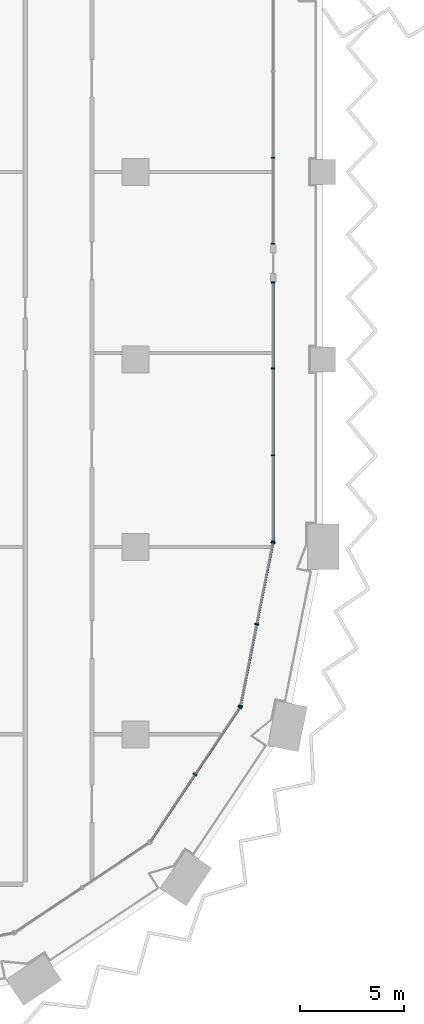
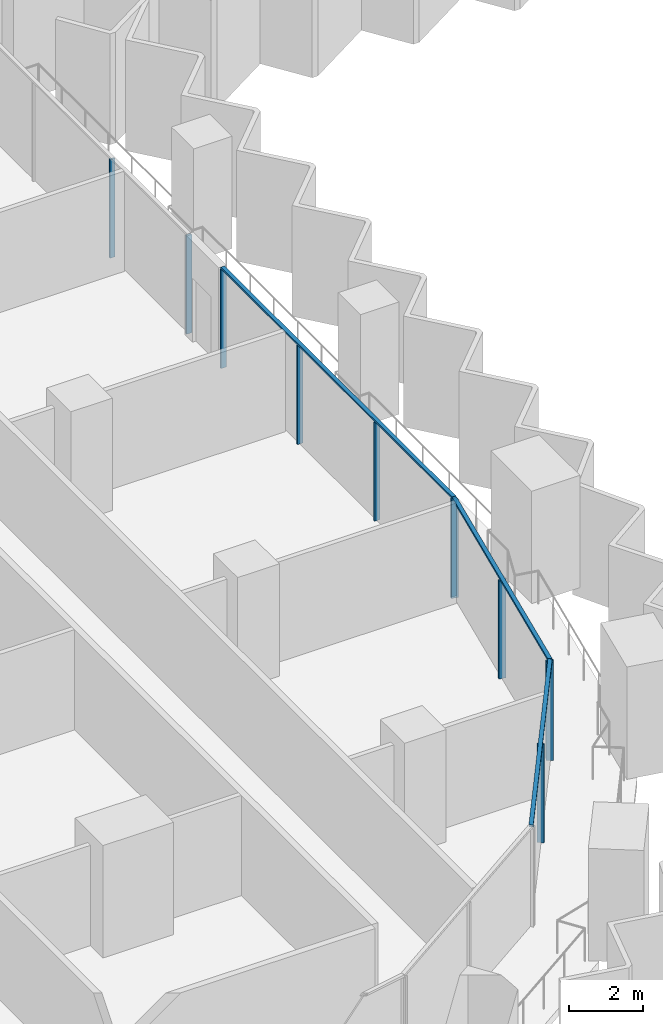
# One storey, part 3 of 22: 14 members, 4 elements without a shape of their own.
"""IFC4 building model written with IfcOpenShell, lengths in metres."""

import ifcopenshell
import ifcopenshell.guid

model = None  # the IFC model being written
_history = None  # IfcOwnerHistory: only IFC2X3 demands one
_inside = {}  # id of a spatial element -> (the spatial element, [elements in it])
_under = {}  # id of a project, library or spatial element -> (it, [spatial elements below it])
_declared = {}  # id of a project -> (the project, [libraries it declares])
_typed = {}  # id of a type object -> (the type object, [elements of that type])
_made_of = {}  # id of a material, layer set ... -> (it, [elements and type objects made of it])


def new_model(schema):
    """Start an empty IFC model of exactly this schema.

    Asked for "IFC4X3", IfcOpenShell would pick the latest addendum, in which some entities
    have other attributes; the version numbers below select the first issue.
    IFC2X3 requires an IfcOwnerHistory on every rooted entity: one is made here for all.
    """
    global model, _history
    if schema == "IFC4X3":
        model = ifcopenshell.file(schema_version=(4, 3, 0, 0))
    else:
        model = ifcopenshell.file(schema=schema)
    _inside.clear()
    _under.clear()
    _declared.clear()
    _typed.clear()
    _made_of.clear()
    _history = None
    if model.schema == "IFC2X3":
        org = make("IfcOrganization", Name="unknown")
        user = make(
            "IfcPersonAndOrganization",
            ThePerson=make("IfcPerson", FamilyName="unknown"),
            TheOrganization=org,
        )
        app = make(
            "IfcApplication",
            ApplicationDeveloper=org,
            Version="unknown",
            ApplicationFullName="unknown",
            ApplicationIdentifier="unknown",
        )
        _history = make(
            "IfcOwnerHistory",
            OwningUser=user,
            OwningApplication=app,
            ChangeAction="ADDED",
            CreationDate=0,
        )
    return model


def make(cls, **values):
    """One entity of the class cls with the attributes given. An attribute that is None is left unset."""
    return model.create_entity(
        cls, **{name: value for name, value in values.items() if value is not None}
    )


def rooted(cls, **values):
    """An entity with a GlobalId (a new one), such as an element, a storey or a relation."""
    return make(cls, GlobalId=ifcopenshell.guid.new(), OwnerHistory=_history, **values)


def si_unit(unit_type, name, prefix=None):
    """IfcSIUnit, for example si_unit("LENGTHUNIT", "METRE", prefix="MILLI")."""
    return make("IfcSIUnit", UnitType=unit_type, Prefix=prefix, Name=name)


def assignment(units):
    """IfcUnitAssignment: the units of a project."""
    return None if units is None else make("IfcUnitAssignment", Units=units)


def point(xyz):
    """IfcCartesianPoint."""
    return None if xyz is None else make("IfcCartesianPoint", Coordinates=xyz)


def direction(xyz):
    """IfcDirection."""
    return None if xyz is None else make("IfcDirection", DirectionRatios=xyz)


def frame(location, z_axis=None, x_axis=None):
    """IfcAxis2Placement3D, a coordinate frame: its origin and axes. An axis left out is left unset."""
    return make(
        "IfcAxis2Placement3D",
        Location=point(location),
        Axis=direction(z_axis),
        RefDirection=direction(x_axis),
    )


def frame_2d(location, x_axis=None):
    """IfcAxis2Placement2D, a coordinate frame in the plane: its origin and x axis."""
    return make(
        "IfcAxis2Placement2D", Location=point(location), RefDirection=direction(x_axis)
    )


def origin():
    """The frame at (0, 0, 0) with its axes left unset."""
    return frame((0.0, 0.0, 0.0))


def origin_2d():
    """The frame at (0, 0) in the plane with its x axis left unset."""
    return frame_2d((0.0, 0.0))


def place(relative_to, where):
    """IfcLocalPlacement: puts the frame where relative to a parent placement (None: the world)."""
    return make(
        "IfcLocalPlacement", PlacementRelTo=relative_to, RelativePlacement=where
    )


def context(
    kind, dimensions, precision=None, world=None, true_north=None, identifier=None
):
    """IfcGeometricRepresentationContext, for example the 3D "Model" context."""
    return make(
        "IfcGeometricRepresentationContext",
        ContextIdentifier=identifier,
        ContextType=kind,
        CoordinateSpaceDimension=dimensions,
        Precision=precision,
        WorldCoordinateSystem=world,
        TrueNorth=true_north,
    )


def subcontext(parent, identifier, kind, view, scale=None):
    """IfcGeometricRepresentationSubContext, for example "Body" below "Model"."""
    return make(
        "IfcGeometricRepresentationSubContext",
        ContextIdentifier=identifier,
        ContextType=kind,
        ParentContext=parent,
        TargetScale=scale,
        TargetView=view,
    )


def project(units=None, contexts=None):
    """IfcProject with its units and contexts."""
    return rooted(
        "IfcProject",
        Name="project",
        RepresentationContexts=contexts,
        UnitsInContext=assignment(units),
    )


def spatial(cls, under=None, at=None, **own):
    """A site, building, storey or space (cls), placed at a placement, below another one or the project."""
    s = rooted(cls, ObjectPlacement=at, **own)
    if under is not None:
        _under.setdefault(under.id(), (under, []))[1].append(s)
    return s


def profile(cls, at=None, kind="AREA", **sizes):
    """A parametric profile (cls). Its sizes go by their IFC names, for example OverallWidth=200.0."""
    return make(cls, ProfileType=kind, Position=at, **sizes)


def rectangle(**sizes):
    """IfcRectangleProfileDef."""
    return profile("IfcRectangleProfileDef", **sizes)


def extrude(swept, where, along, depth):
    """IfcExtrudedAreaSolid: the profile swept, set in the frame where, extruded along a direction by depth."""
    return make(
        "IfcExtrudedAreaSolid",
        SweptArea=swept,
        Position=where,
        ExtrudedDirection=direction(along),
        Depth=depth,
    )


def shape(context_of_items, identifier, shape_type, items):
    """IfcShapeRepresentation: the items that make up one representation, for example the "Body"."""
    return make(
        "IfcShapeRepresentation",
        ContextOfItems=context_of_items,
        RepresentationIdentifier=identifier,
        RepresentationType=shape_type,
        Items=items,
    )


def material(Name=None, Category=None):
    """IfcMaterial."""
    return make("IfcMaterial", Name=Name, Category=Category)


def material_profile(
    of_material, cross_section, Name=None, Category=None, Priority=None
):
    """IfcMaterialProfile: a cross section and its material."""
    return make(
        "IfcMaterialProfile",
        Name=Name,
        Material=of_material,
        Profile=cross_section,
        Priority=Priority,
        Category=Category,
    )


def profile_set(profiles, Name=None, composite=None):
    """IfcMaterialProfileSet."""
    return make(
        "IfcMaterialProfileSet",
        Name=Name,
        MaterialProfiles=profiles,
        CompositeProfile=composite,
    )


def made_of(thing, what):
    """Note that an element or type object is made of a material, layer set ...; save() writes the relation."""
    if what is not None:
        _made_of.setdefault(what.id(), (what, []))[1].append(thing)
    return thing


def type_object(cls, material=None, **own):
    """A type object (cls), such as IfcWallType, which elements share."""
    return made_of(rooted(cls, **own), material)


def element(
    cls,
    number,
    at=None,
    inside=None,
    cuts=None,
    type_object=None,
    material=None,
    context=None,
    identifier="Body",
    shape_type=None,
    held_by="IfcProductDefinitionShape",
    body=None,
    shapes=None,
    **own,
):
    """One element of the class cls, such as IfcWall. Its Tag is "e" and its number.

    at: its placement. inside: the storey or other place that contains it. cuts: it is an
    opening in that element (IfcRelVoidsElement). A single representation is given by context,
    identifier, shape_type and body (its items); several are given by shapes. held_by: the class
    of the entity that holds the representations. save() writes the other relations.
    """
    e = rooted(cls, Tag="e%d" % number, ObjectPlacement=at, **own)
    if body is not None:
        shapes = [shape(context, identifier, shape_type, body)]
    if shapes is not None:
        e.Representation = make(held_by, Representations=shapes)
    if inside is not None:
        _inside.setdefault(inside.id(), (inside, []))[1].append(e)
    if cuts is not None:
        rooted(
            "IfcRelVoidsElement", RelatingBuildingElement=cuts, RelatedOpeningElement=e
        )
    if type_object is not None:
        _typed.setdefault(type_object.id(), (type_object, []))[1].append(e)
    return made_of(e, material)


def aggregate(whole, parts):
    """IfcRelAggregates: a whole, such as a stair, and the parts it consists of."""
    return rooted("IfcRelAggregates", RelatingObject=whole, RelatedObjects=parts)


def save(model, path):
    """Write the relations noted so far, then the file.

    IfcRelAggregates (storeys below a building ...), IfcRelContainedInSpatialStructure (elements
    in a storey), IfcRelDefinesByType, IfcRelAssociatesMaterial and IfcRelDeclares: one each for
    every whole, place, type object, material and project.
    """
    for whole, parts in _under.values():
        aggregate(whole, parts)
    for where, things in _inside.values():
        rooted(
            "IfcRelContainedInSpatialStructure",
            RelatedElements=things,
            RelatingStructure=where,
        )
    for kind, things in _typed.values():
        rooted("IfcRelDefinesByType", RelatedObjects=things, RelatingType=kind)
    for what, things in _made_of.values():
        rooted("IfcRelAssociatesMaterial", RelatedObjects=things, RelatingMaterial=what)
    for by, libraries in _declared.values():
        rooted("IfcRelDeclares", RelatingContext=by, RelatedDefinitions=libraries)
    model.write(path)


model = new_model("IFC4")

# Units and contexts
model_context = context("Model", 3, precision=1e-05, world=origin(), true_north=direction((0.0, 1.0)))
body_context = subcontext(model_context, "Body", "Model", "MODEL_VIEW")
ifc_project = project(units=[si_unit("LENGTHUNIT", "METRE"), si_unit("AREAUNIT", "SQUARE_METRE"), si_unit("VOLUMEUNIT", "CUBIC_METRE"), si_unit("PLANEANGLEUNIT", "RADIAN"), si_unit("MASSUNIT", "GRAM", prefix="KILO")], contexts=[model_context])

# Site, building, storey
site_placement = place(None, origin())
site = spatial("IfcSite", under=ifc_project, at=site_placement, CompositionType="ELEMENT")
building_placement = place(site_placement, origin())
building = spatial("IfcBuilding", under=site, at=building_placement, Name="Hunhe Ridgeline Campus", CompositionType="ELEMENT")
storey_placement = place(building_placement, frame((0.0, 0.0, 84.800048828125)))
storey = spatial("IfcBuildingStorey", under=building, at=storey_placement, Name="L20", CompositionType="ELEMENT", Elevation=84.800048828125)

# Curtain wall, members
ifc_material = material(Name="Aluminium 6063", Category="aluminium")
curtain_wall_type_1 = type_object("IfcCurtainWallType", Name="Curtain wall CW-1", PredefinedType="NOTDEFINED", material=ifc_material)
curtain_wall_1_placement = place(storey_placement, origin())
curtain_wall_1 = element("IfcCurtainWall", 1, at=curtain_wall_1_placement, inside=storey, type_object=curtain_wall_type_1, Name="Curtain wall 11", PredefinedType="NOTDEFINED")
ifc_material_profile_1 = material_profile(ifc_material, rectangle(XDim=0.159912109375, YDim=0.06005859375, at=origin_2d()))
ifc_profile_set_1 = profile_set([ifc_material_profile_1], Name="Aluminium 6063")
member_type_1 = type_object("IfcMemberType", Name="CW-1 aluminium mullion", PredefinedType="MULLION", material=ifc_profile_set_1)
member_1_placement = place(storey_placement, frame((42.59912109375, 27.266357421875, 0.0), z_axis=(0.0, 0.0, 1.0), x_axis=(-0.99999999994, 1.0975712e-05, 0.0)))
member_1 = element("IfcMember", 2, at=member_1_placement, type_object=member_type_1, Name="CW-1 mullion 1", PredefinedType="MULLION", context=body_context, shape_type="SweptSolid", body=[
    extrude(rectangle(XDim=0.159912109375, YDim=0.06005859375, at=origin_2d()), origin(), (0.0, 0.0, 1.0), 3.239990234375),
])
member_2_placement = place(storey_placement, frame((42.59912109375, 31.397216796875, 0.0), z_axis=(0.0, 0.0, 1.0), x_axis=(-0.99999999994, 1.0975712e-05, 0.0)))
member_2 = element("IfcMember", 3, at=member_2_placement, type_object=member_type_1, Name="CW-1 mullion 2", PredefinedType="MULLION", context=body_context, shape_type="SweptSolid", body=[
    extrude(rectangle(XDim=0.159912109375, YDim=0.06005859375, at=origin_2d()), origin(), (0.0, 0.0, 1.0), 3.239990234375),
])
member_3_placement = place(storey_placement, frame((42.59912109375, 35.557861328125, 0.0), z_axis=(0.0, 0.0, 1.0), x_axis=(-0.99999999994, 1.0975712e-05, 0.0)))
member_3 = element("IfcMember", 4, at=member_3_placement, type_object=member_type_1, Name="CW-1 mullion 3", PredefinedType="MULLION", context=body_context, shape_type="SweptSolid", body=[
    extrude(rectangle(XDim=0.159912109375, YDim=0.06005859375, at=origin_2d()), origin(), (0.0, 0.0, 1.0), 3.239990234375),
])
member_4_placement = place(storey_placement, frame((42.59912109375, 39.6884765625, 0.0), z_axis=(0.0, 0.0, 1.0), x_axis=(-0.99999999994, 1.0975712e-05, 0.0)))
member_4 = element("IfcMember", 5, at=member_4_placement, type_object=member_type_1, Name="CW-1 mullion 4", PredefinedType="MULLION", context=body_context, shape_type="SweptSolid", body=[
    extrude(rectangle(XDim=0.159912109375, YDim=0.06005859375, at=origin_2d()), origin(), (0.0, 0.0, 1.0), 3.239990234375),
])

curtain_wall_2_placement = place(storey_placement, origin())
curtain_wall_2 = element("IfcCurtainWall", 6, at=curtain_wall_2_placement, inside=storey, type_object=curtain_wall_type_1, Name="Curtain wall 12", PredefinedType="NOTDEFINED")
member_5_placement = place(storey_placement, frame((42.59912109375, 41.548583984375, 0.0), z_axis=(0.0, 0.0, 1.0), x_axis=(-0.99999999994, 1.0975712e-05, 0.0)))
member_5 = element("IfcMember", 7, at=member_5_placement, type_object=member_type_1, Name="CW-1 mullion 1", PredefinedType="MULLION", context=body_context, shape_type="SweptSolid", body=[
    extrude(rectangle(XDim=0.159912109375, YDim=0.06005859375, at=origin_2d()), origin(), (0.0, 0.0, 1.0), 3.239990234375),
])
member_6_placement = place(storey_placement, frame((42.59912109375, 45.67919921875, 0.0), z_axis=(0.0, 0.0, 1.0), x_axis=(-0.99999999994, 1.0975712e-05, 0.0)))
member_6 = element("IfcMember", 8, at=member_6_placement, type_object=member_type_1, Name="CW-1 mullion 2", PredefinedType="MULLION", context=body_context, shape_type="SweptSolid", body=[
    extrude(rectangle(XDim=0.159912109375, YDim=0.06005859375, at=origin_2d()), origin(), (0.0, 0.0, 1.0), 3.239990234375),
])
aggregate(curtain_wall_2, [member_5, member_6])

# Member
ifc_material_profile_2 = material_profile(ifc_material, rectangle(XDim=0.1201171875, YDim=0.06005859375, at=origin_2d()))
ifc_profile_set_2 = profile_set([ifc_material_profile_2], Name="Aluminium 6063")
member_type_2 = type_object("IfcMemberType", Name="CW-1 aluminium transom", PredefinedType="USERDEFINED", material=ifc_profile_set_2)
member_7_placement = place(storey_placement, frame((42.59912109375, 27.236572265625, 3.27001953125), z_axis=(0.0, 1.0, 0.0), x_axis=(-1.0, 0.0, 0.0)))
member_7 = element("IfcMember", 9, at=member_7_placement, type_object=member_type_2, Name="CW-1 transom 1", ObjectType="TRANSOM", PredefinedType="USERDEFINED", context=body_context, shape_type="SweptSolid", body=[
    extrude(rectangle(XDim=0.1201171875, YDim=0.06005859375, at=origin_2d()), origin(), (0.0, 0.0, 1.0), 12.48193359375),
])

aggregate(curtain_wall_1, [member_7, member_1, member_2, member_3, member_4])

# Curtain wall, members
curtain_wall_type_2 = type_object("IfcCurtainWallType", Name="Curtain wall CW-5", PredefinedType="NOTDEFINED", material=ifc_material)
curtain_wall_3_placement = place(storey_placement, origin())
curtain_wall_3 = element("IfcCurtainWall", 10, at=curtain_wall_3_placement, inside=storey, type_object=curtain_wall_type_2, Name="Curtain wall 09", PredefinedType="NOTDEFINED")
ifc_material_profile_3 = material_profile(ifc_material, rectangle(XDim=0.199951171875, YDim=0.070068359375, at=origin_2d()))
ifc_profile_set_3 = profile_set([ifc_material_profile_3], Name="Aluminium 6063")
member_type_3 = type_object("IfcMemberType", Name="CW-5 aluminium mullion", PredefinedType="MULLION", material=ifc_profile_set_3)
member_8_placement = place(storey_placement, frame((38.852294921875, 16.07373046875, 0.0), z_axis=(0.0, 0.0, 1.0), x_axis=(-0.831469584522, 0.555570274596, 0.0)))
member_8 = element("IfcMember", 11, at=member_8_placement, type_object=member_type_3, Name="CW-5 mullion 2", PredefinedType="MULLION", context=body_context, shape_type="SweptSolid", body=[
    extrude(rectangle(XDim=0.199951171875, YDim=0.070068359375, at=origin_2d()), origin(), (0.0, 0.0, 1.0), 3.22998046875),
])
member_9_placement = place(storey_placement, frame((41.006103515625, 19.29736328125, 0.0), z_axis=(0.0, 0.0, 1.0), x_axis=(-0.831469584522, 0.555570274596, 0.0)))
member_9 = element("IfcMember", 12, at=member_9_placement, type_object=member_type_3, Name="CW-5 mullion 3", PredefinedType="MULLION", context=body_context, shape_type="SweptSolid", body=[
    extrude(rectangle(XDim=0.199951171875, YDim=0.070068359375, at=origin_2d()), origin(), (0.0, 0.0, 1.0), 3.22998046875),
])

curtain_wall_4_placement = place(storey_placement, origin())
curtain_wall_4 = element("IfcCurtainWall", 13, at=curtain_wall_4_placement, inside=storey, type_object=curtain_wall_type_2, Name="Curtain wall 10", PredefinedType="NOTDEFINED")
member_10_placement = place(storey_placement, frame((41.032470703125, 19.36083984375, 0.0), z_axis=(0.0, 0.0, 1.0), x_axis=(-0.980785284939, 0.195090299215, 0.0)))
member_10 = element("IfcMember", 14, at=member_10_placement, type_object=member_type_3, Name="CW-5 mullion 1", PredefinedType="MULLION", context=body_context, shape_type="SweptSolid", body=[
    extrude(rectangle(XDim=0.199951171875, YDim=0.070068359375, at=origin_2d()), origin(), (0.0, 0.0, 1.0), 3.22998046875),
])
member_11_placement = place(storey_placement, frame((41.812255859375, 23.281494140625, 0.0), z_axis=(0.0, 0.0, 1.0), x_axis=(-0.980785284939, 0.195090299215, 0.0)))
member_11 = element("IfcMember", 15, at=member_11_placement, type_object=member_type_3, Name="CW-5 mullion 2", PredefinedType="MULLION", context=body_context, shape_type="SweptSolid", body=[
    extrude(rectangle(XDim=0.199951171875, YDim=0.070068359375, at=origin_2d()), origin(), (0.0, 0.0, 1.0), 3.22998046875),
])
member_12_placement = place(storey_placement, frame((42.59228515625, 27.2021484375, 0.0), z_axis=(0.0, 0.0, 1.0), x_axis=(-0.980785284939, 0.195090299215, 0.0)))
member_12 = element("IfcMember", 16, at=member_12_placement, type_object=member_type_3, Name="CW-5 mullion 3", PredefinedType="MULLION", context=body_context, shape_type="SweptSolid", body=[
    extrude(rectangle(XDim=0.199951171875, YDim=0.070068359375, at=origin_2d()), origin(), (0.0, 0.0, 1.0), 3.22998046875),
])

# Member
ifc_material_profile_4 = material_profile(ifc_material, rectangle(XDim=0.1201171875, YDim=0.070068359375, at=origin_2d()))
ifc_profile_set_4 = profile_set([ifc_material_profile_4], Name="Aluminium 6063")
member_type_4 = type_object("IfcMemberType", Name="CW-5 aluminium transom", PredefinedType="USERDEFINED", material=ifc_profile_set_4)
member_13_placement = place(storey_placement, frame((36.678955078125, 12.821044921875, 3.264892578125), z_axis=(0.5555640203, 0.831473763475, 0.0), x_axis=(-0.831473763475, 0.5555640203, 0.0)))
member_13 = element("IfcMember", 17, at=member_13_placement, type_object=member_type_4, Name="CW-5 transom 1", ObjectType="TRANSOM", PredefinedType="USERDEFINED", context=body_context, shape_type="SweptSolid", body=[
    extrude(rectangle(XDim=0.1201171875, YDim=0.070068359375, at=origin_2d()), origin(), (0.0, 0.0, 1.0), 7.823974609375),
])

aggregate(curtain_wall_3, [member_13, member_8, member_9])

member_14_placement = place(storey_placement, frame((41.025634765625, 19.326416015625, 3.264892578125), z_axis=(0.195097290093, 0.980783894341, 0.0), x_axis=(-0.980783894341, 0.195097290093, 0.0)))
member_14 = element("IfcMember", 18, at=member_14_placement, type_object=member_type_4, Name="CW-5 transom 1", ObjectType="TRANSOM", PredefinedType="USERDEFINED", context=body_context, shape_type="SweptSolid", body=[
    extrude(rectangle(XDim=0.1201171875, YDim=0.070068359375, at=origin_2d()), origin(), (0.0, 0.0, 1.0), 8.065185546875),
])

aggregate(curtain_wall_4, [member_14, member_10, member_11, member_12])

save(model, "model.ifc")
